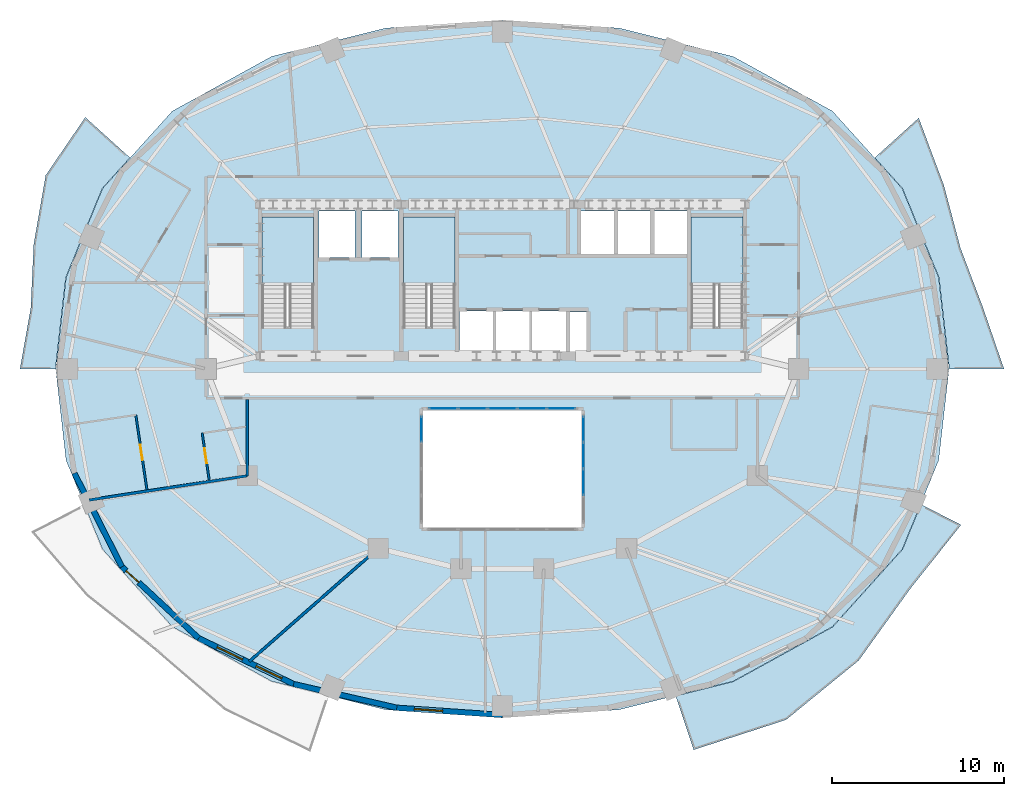
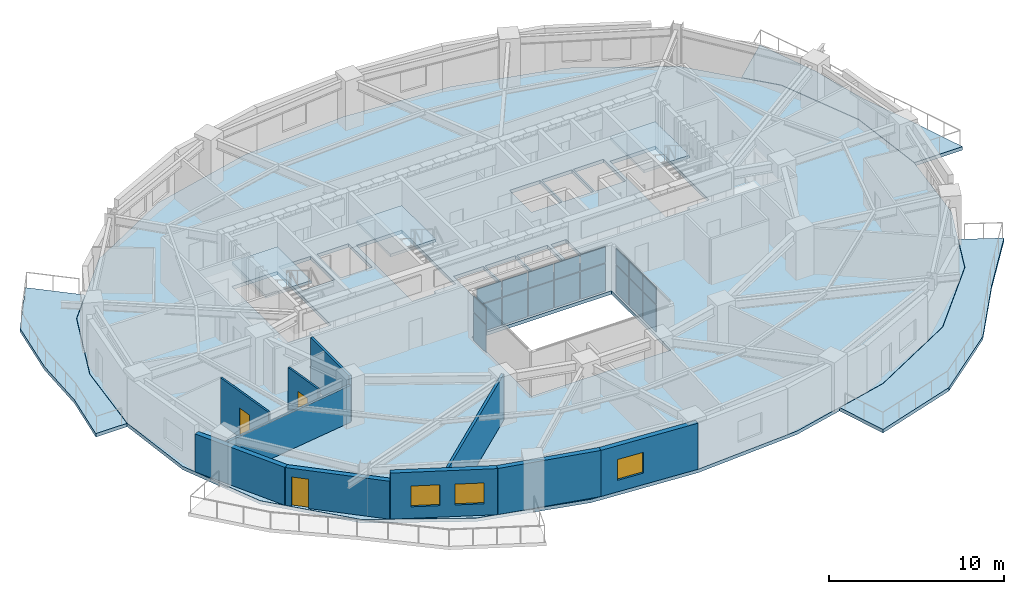
# One storey, part 5 of 12: 18 plates, 10 walls, 7 slabs, 3 doors, 3 windows, 6 openings, 6 elements without a shape of their own.
"""IFC4 building model written with IfcOpenShell, lengths in metres."""

from ifc_helpers import new_model, si_unit, direction, frame, frame_2d, origin, origin_2d, place, context, subcontext, project, spatial, polyline, rectangle, outline, extrude, material, layer, layer_set, type_object, element, fill, aggregate, save


model = new_model("IFC4")

# Units and contexts
model_context = context("Model", 3, precision=1e-05, world=origin(), true_north=direction((0.0, 1.0)))
body_context = subcontext(model_context, "Body", "Model", "MODEL_VIEW")
ifc_project = project(units=[si_unit("LENGTHUNIT", "METRE"), si_unit("AREAUNIT", "SQUARE_METRE"), si_unit("VOLUMEUNIT", "CUBIC_METRE"), si_unit("PLANEANGLEUNIT", "RADIAN"), si_unit("MASSUNIT", "GRAM", prefix="KILO")], contexts=[model_context])

# Site, building, storey
site_placement = place(None, origin())
site = spatial("IfcSite", under=ifc_project, at=site_placement, CompositionType="ELEMENT")
building_placement = place(site_placement, origin())
building = spatial("IfcBuilding", under=site, at=building_placement, Name="Haldorwick Loom Tower", CompositionType="ELEMENT")
storey_placement = place(building_placement, frame((0.0, 0.0, 157.89990234375)))
storey = spatial("IfcBuildingStorey", under=building, at=storey_placement, Name="L42", CompositionType="ELEMENT", Elevation=157.89990234375)

# Curtain wall, plates
ifc_material_1 = material(Name="Thermally Broken Anodized Aluminium Curtain Wall Framing", Category="aluminium")
curtain_wall_type = type_object("IfcCurtainWallType", Name="ARC-CW-03", PredefinedType="NOTDEFINED", material=ifc_material_1)
curtain_wall_1_placement = place(storey_placement, origin())
curtain_wall_1 = element("IfcCurtainWall", 1, at=curtain_wall_1_placement, inside=storey, type_object=curtain_wall_type, Name="L42 Atrium Glazed Screen N", PredefinedType="NOTDEFINED")
ifc_material_2 = material(Name="Triple-Glazed Low-E Argon Insulated Glazing Unit", Category="glass")
ifc_layer_1 = layer(ifc_material_2, 0.04296875, Name="Triple-Glazed Low-E Argon Insulated Glazing Unit", Category="glass")
ifc_layer_set_1 = layer_set([ifc_layer_1], Name="Triple-Glazed Low-E Argon Insulated Glazing Unit")
plate_type = type_object("IfcPlateType", Name="ARC-CWP-03", PredefinedType="CURTAIN_PANEL", material=ifc_layer_set_1)
plate_1_placement = place(storey_placement, frame((32.576416015625, 23.699951171875, 0.066162109375), z_axis=(0.0, 0.0, 1.0), x_axis=(1.0, 0.0, 0.0)))
plate_1 = element("IfcPlate", 2, at=plate_1_placement, type_object=plate_type, Name="CW-03 panel 1.1", PredefinedType="CURTAIN_PANEL", context=body_context, shape_type="SweptSolid", body=[
    extrude(rectangle(XDim=1.62109375, YDim=0.04296875, at=origin_2d()), origin(), (0.0, 0.0, 1.0), 1.90087890625),
])
plate_2_placement = place(storey_placement, frame((32.576416015625, 23.699951171875, 2.033203125), z_axis=(0.0, 0.0, 1.0), x_axis=(1.0, 0.0, 0.0)))
plate_2 = element("IfcPlate", 3, at=plate_2_placement, type_object=plate_type, Name="CW-03 panel 1.2", PredefinedType="CURTAIN_PANEL", context=body_context, shape_type="SweptSolid", body=[
    extrude(rectangle(XDim=1.62109375, YDim=0.04296875, at=origin_2d()), origin(), (0.0, 0.0, 1.0), 1.111083984375),
])
plate_3_placement = place(storey_placement, frame((34.280029296875, 23.699951171875, 0.066162109375), z_axis=(0.0, 0.0, 1.0), x_axis=(1.0, 0.0, 0.0)))
plate_3 = element("IfcPlate", 4, at=plate_3_placement, type_object=plate_type, Name="CW-03 panel 2.1", PredefinedType="CURTAIN_PANEL", context=body_context, shape_type="SweptSolid", body=[
    extrude(rectangle(XDim=1.654052734375, YDim=0.04296875, at=origin_2d()), origin(), (0.0, 0.0, 1.0), 1.90087890625),
])
plate_4_placement = place(storey_placement, frame((34.280029296875, 23.699951171875, 2.033203125), z_axis=(0.0, 0.0, 1.0), x_axis=(1.0, 0.0, 0.0)))
plate_4 = element("IfcPlate", 5, at=plate_4_placement, type_object=plate_type, Name="CW-03 panel 2.2", PredefinedType="CURTAIN_PANEL", context=body_context, shape_type="SweptSolid", body=[
    extrude(rectangle(XDim=1.654052734375, YDim=0.04296875, at=origin_2d()), origin(), (0.0, 0.0, 1.0), 1.111083984375),
])
plate_5_placement = place(storey_placement, frame((36.0, 23.699951171875, 0.066162109375), z_axis=(0.0, 0.0, 1.0), x_axis=(1.0, 0.0, 0.0)))
plate_5 = element("IfcPlate", 6, at=plate_5_placement, type_object=plate_type, Name="CW-03 panel 3.1", PredefinedType="CURTAIN_PANEL", context=body_context, shape_type="SweptSolid", body=[
    extrude(rectangle(XDim=1.654052734375, YDim=0.04296875, at=origin_2d()), origin(), (0.0, 0.0, 1.0), 1.90087890625),
])
plate_6_placement = place(storey_placement, frame((36.0, 23.699951171875, 2.033203125), z_axis=(0.0, 0.0, 1.0), x_axis=(1.0, 0.0, 0.0)))
plate_6 = element("IfcPlate", 7, at=plate_6_placement, type_object=plate_type, Name="CW-03 panel 3.2", PredefinedType="CURTAIN_PANEL", context=body_context, shape_type="SweptSolid", body=[
    extrude(rectangle(XDim=1.654052734375, YDim=0.04296875, at=origin_2d()), origin(), (0.0, 0.0, 1.0), 1.111083984375),
])
plate_7_placement = place(storey_placement, frame((37.719970703125, 23.699951171875, 0.066162109375), z_axis=(0.0, 0.0, 1.0), x_axis=(1.0, 0.0, 0.0)))
plate_7 = element("IfcPlate", 8, at=plate_7_placement, type_object=plate_type, Name="CW-03 panel 4.1", PredefinedType="CURTAIN_PANEL", context=body_context, shape_type="SweptSolid", body=[
    extrude(rectangle(XDim=1.654052734375, YDim=0.04296875, at=origin_2d()), origin(), (0.0, 0.0, 1.0), 1.90087890625),
])
plate_8_placement = place(storey_placement, frame((37.719970703125, 23.699951171875, 2.033203125), z_axis=(0.0, 0.0, 1.0), x_axis=(1.0, 0.0, 0.0)))
plate_8 = element("IfcPlate", 9, at=plate_8_placement, type_object=plate_type, Name="CW-03 panel 4.2", PredefinedType="CURTAIN_PANEL", context=body_context, shape_type="SweptSolid", body=[
    extrude(rectangle(XDim=1.654052734375, YDim=0.04296875, at=origin_2d()), origin(), (0.0, 0.0, 1.0), 1.111083984375),
])
plate_9_placement = place(storey_placement, frame((39.423583984375, 23.699951171875, 0.066162109375), z_axis=(0.0, 0.0, 1.0), x_axis=(1.0, 0.0, 0.0)))
plate_9 = element("IfcPlate", 10, at=plate_9_placement, type_object=plate_type, Name="CW-03 panel 5.1", PredefinedType="CURTAIN_PANEL", context=body_context, shape_type="SweptSolid", body=[
    extrude(rectangle(XDim=1.62109375, YDim=0.04296875, at=origin_2d()), origin(), (0.0, 0.0, 1.0), 1.90087890625),
])
plate_10_placement = place(storey_placement, frame((39.423583984375, 23.699951171875, 2.033203125), z_axis=(0.0, 0.0, 1.0), x_axis=(1.0, 0.0, 0.0)))
plate_10 = element("IfcPlate", 11, at=plate_10_placement, type_object=plate_type, Name="CW-03 panel 5.2", PredefinedType="CURTAIN_PANEL", context=body_context, shape_type="SweptSolid", body=[
    extrude(rectangle(XDim=1.62109375, YDim=0.04296875, at=origin_2d()), origin(), (0.0, 0.0, 1.0), 1.111083984375),
])
aggregate(curtain_wall_1, [plate_1, plate_2, plate_3, plate_4, plate_5, plate_6, plate_7, plate_8, plate_9, plate_10])

curtain_wall_2_placement = place(storey_placement, origin())
curtain_wall_2 = element("IfcCurtainWall", 12, at=curtain_wall_2_placement, inside=storey, type_object=curtain_wall_type, Name="L42 Atrium Glazed Screen W", PredefinedType="NOTDEFINED")
plate_11_placement = place(storey_placement, frame((31.300048828125, 22.508544921875, 0.066162109375), z_axis=(0.0, 0.0, 1.0), x_axis=(0.0, 1.0, 0.0)))
plate_11 = element("IfcPlate", 13, at=plate_11_placement, type_object=plate_type, Name="CW-03 panel 4.1", PredefinedType="CURTAIN_PANEL", context=body_context, shape_type="SweptSolid", body=[
    extrude(rectangle(XDim=1.450927734375, YDim=0.04296875, at=origin_2d()), origin(), (0.0, 0.0, 1.0), 1.90087890625),
])
plate_12_placement = place(storey_placement, frame((31.300048828125, 22.508544921875, 2.033203125), z_axis=(0.0, 0.0, 1.0), x_axis=(0.0, 1.0, 0.0)))
plate_12 = element("IfcPlate", 14, at=plate_12_placement, type_object=plate_type, Name="CW-03 panel 4.2", PredefinedType="CURTAIN_PANEL", context=body_context, shape_type="SweptSolid", body=[
    extrude(rectangle(XDim=1.450927734375, YDim=0.04296875, at=origin_2d()), origin(), (0.0, 0.0, 1.0), 1.111083984375),
])
aggregate(curtain_wall_2, [plate_11, plate_12])

curtain_wall_3_placement = place(storey_placement, origin())
curtain_wall_3 = element("IfcCurtainWall", 15, at=curtain_wall_3_placement, inside=storey, type_object=curtain_wall_type, Name="L42 Atrium Glazed Screen E", PredefinedType="NOTDEFINED")
plate_13_placement = place(storey_placement, frame((40.699951171875, 22.508544921875, 0.066162109375), z_axis=(0.0, 0.0, 1.0), x_axis=(0.0, -1.0, 0.0)))
plate_13 = element("IfcPlate", 16, at=plate_13_placement, type_object=plate_type, Name="CW-03 panel 1.1", PredefinedType="CURTAIN_PANEL", context=body_context, shape_type="SweptSolid", body=[
    extrude(rectangle(XDim=1.450927734375, YDim=0.04296875, at=origin_2d()), origin(), (0.0, 0.0, 1.0), 1.90087890625),
])
plate_14_placement = place(storey_placement, frame((40.699951171875, 22.508544921875, 2.033203125), z_axis=(0.0, 0.0, 1.0), x_axis=(0.0, -1.0, 0.0)))
plate_14 = element("IfcPlate", 17, at=plate_14_placement, type_object=plate_type, Name="CW-03 panel 1.2", PredefinedType="CURTAIN_PANEL", context=body_context, shape_type="SweptSolid", body=[
    extrude(rectangle(XDim=1.450927734375, YDim=0.04296875, at=origin_2d()), origin(), (0.0, 0.0, 1.0), 1.111083984375),
])
plate_15_placement = place(storey_placement, frame((40.699951171875, 20.97509765625, 0.066162109375), z_axis=(0.0, 0.0, 1.0), x_axis=(0.0, -1.0, 0.0)))
plate_15 = element("IfcPlate", 18, at=plate_15_placement, type_object=plate_type, Name="CW-03 panel 2.1", PredefinedType="CURTAIN_PANEL", context=body_context, shape_type="SweptSolid", body=[
    extrude(rectangle(XDim=1.48388671875, YDim=0.04296875, at=origin_2d()), origin(), (0.0, 0.0, 1.0), 1.90087890625),
])
plate_16_placement = place(storey_placement, frame((40.699951171875, 20.97509765625, 2.033203125), z_axis=(0.0, 0.0, 1.0), x_axis=(0.0, -1.0, 0.0)))
plate_16 = element("IfcPlate", 19, at=plate_16_placement, type_object=plate_type, Name="CW-03 panel 2.2", PredefinedType="CURTAIN_PANEL", context=body_context, shape_type="SweptSolid", body=[
    extrude(rectangle(XDim=1.48388671875, YDim=0.04296875, at=origin_2d()), origin(), (0.0, 0.0, 1.0), 1.111083984375),
])
plate_17_placement = place(storey_placement, frame((40.699951171875, 19.425048828125, 0.066162109375), z_axis=(0.0, 0.0, 1.0), x_axis=(0.0, -1.0, 0.0)))
plate_17 = element("IfcPlate", 20, at=plate_17_placement, type_object=plate_type, Name="CW-03 panel 3.1", PredefinedType="CURTAIN_PANEL", context=body_context, shape_type="SweptSolid", body=[
    extrude(rectangle(XDim=1.48388671875, YDim=0.04296875, at=origin_2d()), origin(), (0.0, 0.0, 1.0), 1.90087890625),
])
plate_18_placement = place(storey_placement, frame((40.699951171875, 19.425048828125, 2.033203125), z_axis=(0.0, 0.0, 1.0), x_axis=(0.0, -1.0, 0.0)))
plate_18 = element("IfcPlate", 21, at=plate_18_placement, type_object=plate_type, Name="CW-03 panel 3.2", PredefinedType="CURTAIN_PANEL", context=body_context, shape_type="SweptSolid", body=[
    extrude(rectangle(XDim=1.48388671875, YDim=0.04296875, at=origin_2d()), origin(), (0.0, 0.0, 1.0), 1.111083984375),
])
aggregate(curtain_wall_3, [plate_13, plate_14, plate_15, plate_16, plate_17, plate_18])

# Slabs
ifc_material_3 = material(Name="Concrete C40 (40 MPa)", Category="concrete")
ifc_layer_2 = layer(ifc_material_3, 0.239990234375, Name="Concrete C40 (40 MPa)", Category="concrete")
ifc_layer_set_2 = layer_set([ifc_layer_2], Name="Concrete C40 (40 MPa)")
slab_type_1 = type_object("IfcSlabType", Name="STR-SLB-BAL240", PredefinedType="FLOOR", material=ifc_layer_set_2)
slab_1_placement = place(storey_placement, frame((0.0, 0.0, -0.239990234375)))
element("IfcSlab", 22, at=slab_1_placement, inside=storey, type_object=slab_type_1, Name="L42 Sinusoidal Balcony Terrace BAL_SE", PredefinedType="FLOOR", context=body_context, shape_type="SweptSolid", body=[
    extrude(outline(polyline([(60.284423828125, 18.14208984375), (59.216064453125, 15.530517578125), (59.21533203125, 15.529296875), (59.21484375, 15.528076171875), (59.214111328125, 15.527099609375), (59.213134765625, 15.526123046875), (55.16162109375, 11.031005859375), (55.16064453125, 11.02978515625), (55.1591796875, 11.028564453125), (55.15771484375, 11.02783203125), (49.40283203125, 7.863037109375), (49.40185546875, 7.8623046875), (49.400634765625, 7.86181640625), (49.3994140625, 7.861572265625), (46.05908203125, 7.027587890625), (47.103515625, 3.901123046875), (52.455322265625, 5.6396484375), (56.677978515625, 9.08544921875), (59.65380859375, 13.228271484375), (62.6103515625, 16.9501953125), (60.284423828125, 18.14208984375)])), origin(), (0.0, 0.0, 1.0), 0.239990234375),
])
slab_2_placement = place(storey_placement, frame((0.0, 0.0, -0.239990234375)))
element("IfcSlab", 23, at=slab_2_placement, inside=storey, type_object=slab_type_1, Name="L42 Sinusoidal Balcony Terrace BAL_WNW", PredefinedType="FLOOR", context=body_context, shape_type="SweptSolid", body=[
    extrude(outline(polyline([(10.068115234375, 26.0), (10.068115234375, 26.001708984375), (10.669677734375, 31.30029296875), (10.669921875, 31.3017578125), (10.670166015625, 31.302978515625), (10.670654296875, 31.30419921875), (12.783935546875, 36.469482421875), (12.78466796875, 36.470703125), (12.78515625, 36.4716796875), (12.785888671875, 36.472900390625), (12.786865234375, 36.473876953125), (14.390380859375, 38.25341796875), (11.7998046875, 40.59716796875), (9.505615234375, 37.237060546875), (8.81103515625, 33.25048828125), (8.63427734375, 29.5166015625), (8.011474609375, 26.0), (10.068115234375, 26.0)])), origin(), (0.0, 0.0, 1.0), 0.239990234375),
])
slab_3_placement = place(storey_placement, frame((0.0, 0.0, -0.239990234375)))
element("IfcSlab", 24, at=slab_3_placement, inside=storey, type_object=slab_type_1, Name="L42 Sinusoidal Balcony Terrace BAL_ENE", PredefinedType="FLOOR", context=body_context, shape_type="SweptSolid", body=[
    extrude(outline(polyline([(57.609619140625, 38.25341796875), (59.213134765625, 36.473876953125), (59.214111328125, 36.472900390625), (59.21484375, 36.4716796875), (59.21533203125, 36.470703125), (59.216064453125, 36.469482421875), (61.329345703125, 31.30419921875), (61.329833984375, 31.302978515625), (61.330078125, 31.3017578125), (61.330322265625, 31.30029296875), (61.931884765625, 26.001708984375), (61.931884765625, 26.0), (65.10546875, 26.0), (63.86279296875, 29.617431640625), (62.582763671875, 32.998291015625), (61.61376953125, 36.66259765625), (60.1552734375, 40.55517578125), (57.609619140625, 38.25341796875)])), origin(), (0.0, 0.0, 1.0), 0.239990234375),
])

# Stair, slab
stair_type = type_object("IfcStairType", Name="STR-STR-CORE", PredefinedType="HALF_TURN_STAIR", material=ifc_material_3)
stair_1_placement = place(storey_placement, origin())
stair_1 = element("IfcStair", 25, at=stair_1_placement, inside=storey, type_object=stair_type, Name="L42 Exit Stair ST-01", PredefinedType="HALF_TURN_STAIR")
ifc_layer_3 = layer(ifc_material_3, 0.199951171875, Name="Concrete C40 (40 MPa)", Category="concrete")
ifc_layer_set_3 = layer_set([ifc_layer_3], Name="Concrete C40 (40 MPa)")
slab_type_2 = type_object("IfcSlabType", Name="STR-SLB-LAND200", PredefinedType="LANDING", material=ifc_layer_set_3)
slab_4_placement = place(storey_placement, frame((0.0, 0.0, 1.525146484375)))
slab_4 = element("IfcSlab", 26, at=slab_4_placement, type_object=slab_type_2, Name="ST-01 landing 1", PredefinedType="LANDING", context=body_context, shape_type="SweptSolid", body=[
    extrude(outline(polyline([(25.050048828125, 30.919921875), (25.050048828125, 34.800048828125), (22.050048828125, 34.800048828125), (22.050048828125, 30.919921875), (25.050048828125, 30.919921875)])), origin(), (0.0, 0.0, 1.0), 0.199951171875),
])
aggregate(stair_1, [slab_4])

stair_2_placement = place(storey_placement, origin())
stair_2 = element("IfcStair", 27, at=stair_2_placement, inside=storey, type_object=stair_type, Name="L42 Exit Stair ST-02", PredefinedType="HALF_TURN_STAIR")
slab_5_placement = place(storey_placement, frame((0.0, 0.0, 1.525146484375)))
slab_5 = element("IfcSlab", 28, at=slab_5_placement, type_object=slab_type_2, Name="ST-02 landing 1", PredefinedType="LANDING", context=body_context, shape_type="SweptSolid", body=[
    extrude(outline(polyline([(49.949951171875, 30.919921875), (49.949951171875, 34.800048828125), (46.949951171875, 34.800048828125), (46.949951171875, 30.919921875), (49.949951171875, 30.919921875)])), origin(), (0.0, 0.0, 1.0), 0.199951171875),
])
aggregate(stair_2, [slab_5])

stair_3_placement = place(storey_placement, origin())
stair_3 = element("IfcStair", 29, at=stair_3_placement, inside=storey, type_object=stair_type, Name="L42 Exit Stair ST-03", PredefinedType="HALF_TURN_STAIR")
slab_6_placement = place(storey_placement, frame((0.0, 0.0, 1.525146484375)))
slab_6 = element("IfcSlab", 30, at=slab_6_placement, type_object=slab_type_2, Name="ST-03 landing 1", PredefinedType="LANDING", context=body_context, shape_type="SweptSolid", body=[
    extrude(outline(polyline([(33.25, 30.919921875), (33.25, 34.800048828125), (30.25, 34.800048828125), (30.25, 30.919921875), (33.25, 30.919921875)])), origin(), (0.0, 0.0, 1.0), 0.199951171875),
])
aggregate(stair_3, [slab_6])

# Slab
ifc_layer_4 = layer(ifc_material_3, 0.239990234375, Name="Concrete C40 (40 MPa)", Category="concrete")
ifc_layer_set_4 = layer_set([ifc_layer_4], Name="Concrete C40 (40 MPa)")
slab_type_3 = type_object("IfcSlabType", Name="STR-SLB-RES240", PredefinedType="FLOOR", material=ifc_layer_set_4)
slab_7_placement = place(storey_placement, frame((0.0, 0.0, -0.239990234375)))
element("IfcSlab", 31, at=slab_7_placement, inside=storey, type_object=slab_type_3, Name="L42 Residential Structural Floor Slab", PredefinedType="FLOOR", context=body_context, shape_type="SweptSolid", body=[
    extrude(outline(polyline([(55.150634765625, 11.041015625), (59.2021484375, 15.5361328125), (61.3154296875, 20.701416015625), (61.9169921875, 26.0), (61.3154296875, 31.298583984375), (59.2021484375, 36.4638671875), (55.150634765625, 40.958984375), (49.395751953125, 44.123779296875), (42.783203125, 45.774658203125), (36.0, 46.24462890625), (29.216796875, 45.774658203125), (22.604248046875, 44.123779296875), (16.849365234375, 40.958984375), (12.7978515625, 36.4638671875), (10.6845703125, 31.298583984375), (10.0830078125, 26.0), (10.6845703125, 20.701416015625), (12.7978515625, 15.5361328125), (16.849365234375, 11.041015625), (22.604248046875, 7.876220703125), (29.216796875, 6.225341796875), (36.0, 5.75537109375), (42.783203125, 6.225341796875), (49.395751953125, 7.876220703125), (55.150634765625, 11.041015625)]), holes=[polyline([(31.39990234375, 16.800048828125), (31.39990234375, 23.60009765625), (40.60009765625, 23.60009765625), (40.60009765625, 16.800048828125), (31.39990234375, 16.800048828125)]), polyline([(33.5, 26.85009765625), (33.5, 29.35009765625), (35.5, 29.35009765625), (35.5, 26.85009765625), (33.5, 26.85009765625)]), polyline([(35.60009765625, 26.85009765625), (35.60009765625, 29.35009765625), (37.60009765625, 29.35009765625), (37.60009765625, 26.85009765625), (35.60009765625, 26.85009765625)]), polyline([(23.6201171875, 28.39990234375), (22.050048828125, 28.39990234375), (22.050048828125, 34.800048828125), (25.050048828125, 34.800048828125), (25.050048828125, 28.639892578125), (23.6201171875, 28.639892578125), (23.6201171875, 28.39990234375)]), polyline([(30.25, 28.39990234375), (30.25, 34.800048828125), (33.25, 34.800048828125), (33.25, 28.639892578125), (31.820068359375, 28.639892578125), (31.820068359375, 28.39990234375), (30.25, 28.39990234375)]), polyline([(25.35009765625, 32.449951171875), (25.35009765625, 35.14990234375), (27.449951171875, 35.14990234375), (27.449951171875, 32.449951171875), (25.35009765625, 32.449951171875)]), polyline([(29.949951171875, 32.449951171875), (27.85009765625, 32.449951171875), (27.85009765625, 35.14990234375), (29.949951171875, 35.14990234375), (29.949951171875, 32.449951171875)]), polyline([(37.699951171875, 26.85009765625), (37.699951171875, 29.35009765625), (39.699951171875, 29.35009765625), (39.699951171875, 26.85009765625), (37.699951171875, 26.85009765625)]), polyline([(39.89990234375, 26.89990234375), (39.89990234375, 29.300048828125), (40.89990234375, 29.300048828125), (40.89990234375, 26.89990234375), (39.89990234375, 26.89990234375)]), polyline([(46.949951171875, 28.39990234375), (46.949951171875, 34.800048828125), (49.949951171875, 34.800048828125), (49.949951171875, 28.639892578125), (48.52001953125, 28.639892578125), (48.52001953125, 28.39990234375), (46.949951171875, 28.39990234375)]), polyline([(40.550048828125, 32.64990234375), (40.550048828125, 35.14990234375), (42.550048828125, 35.14990234375), (42.550048828125, 32.64990234375), (40.550048828125, 32.64990234375)]), polyline([(42.64990234375, 32.64990234375), (42.64990234375, 35.14990234375), (44.64990234375, 35.14990234375), (44.64990234375, 32.64990234375), (42.64990234375, 32.64990234375)]), polyline([(44.75, 32.64990234375), (44.75, 35.14990234375), (46.75, 35.14990234375), (46.75, 32.64990234375), (44.75, 32.64990234375)])]), origin(), (0.0, 0.0, 1.0), 0.239990234375),
])

# Wall
ifc_material_4 = material(Name="Pressed Clay Face Brick and Insulated Masonry Backup Assembly", Category="masonry")
ifc_layer_5 = layer(ifc_material_4, 0.320068359375, Name="Pressed Clay Face Brick and Insulated Masonry Backup Assembly", Category="masonry")
ifc_layer_set_5 = layer_set([ifc_layer_5], Name="Pressed Clay Face Brick and Insulated Masonry Backup Assembly")
wall_type_1 = type_object("IfcWallType", Name="ARC-WL-EXT320", PredefinedType="STANDARD", material=ifc_layer_set_5)
wall_1_placement = place(storey_placement, frame((11.1650390625, 19.944580078125, 0.0), z_axis=(0.0, 0.0, 1.0), x_axis=(0.453172129629, -0.89142303141, 0.0)))
element("IfcWall", 32, at=wall_1_placement, inside=storey, type_object=wall_type_1, Name="L42 Brick Pier and Spandrel Wall 14", PredefinedType="STANDARD", context=body_context, shape_type="SweptSolid", body=[
    extrude(rectangle(XDim=6.086669921875, YDim=0.320068359375, at=frame_2d((3.04345703125, 0.0))), origin(), (0.0, 0.0, 1.0), 2.64111328125),
])

# Wall, opening, door
wall_2_placement = place(storey_placement, frame((13.92333984375, 14.518798828125, 0.0), z_axis=(0.0, 0.0, 1.0), x_axis=(0.732001571644, -0.681302942244, 0.0)))
wall_2 = element("IfcWall", 33, at=wall_2_placement, inside=storey, type_object=wall_type_1, Name="L42 Brick Pier and Spandrel Wall 15", PredefinedType="STANDARD", context=body_context, shape_type="SweptSolid", body=[
    extrude(rectangle(XDim=6.0869140625, YDim=0.320068359375, at=frame_2d((3.04345703125, 0.0))), origin(), (0.0, 0.0, 1.0), 2.64111328125),
])
opening_1_placement = place(wall_2_placement, frame((0.340087890625, 0.0, 0.0)))
opening_1 = element("IfcOpeningElement", 34, at=opening_1_placement, cuts=wall_2, Name="Opening D-BL10", PredefinedType="OPENING", context=body_context, shape_type="SweptSolid", body=[
    extrude(rectangle(XDim=1.0, YDim=2.0400390625, at=frame_2d((0.5, 1.02001953125))), frame((0.0, 0.169921875, 0.0), z_axis=(0.0, -1.0, 0.0), x_axis=(1.0, 0.0, 0.0)), (0.0, 0.0, 1.0), 0.340087890625),
])
door_type_1 = type_object("IfcDoorType", Name="ARC-DR-BAL100", OperationType="NOTDEFINED", PredefinedType="DOOR", material=ifc_material_1)
door_1_placement = place(opening_1_placement, origin())
door_1 = element("IfcDoor", 35, at=door_1_placement, inside=storey, type_object=door_type_1, Name="L42 Outdoor Terrace Door SLB-L42-BAL_SW", OperationType="SINGLE_SWING_LEFT", OverallHeight=2.0400390625, OverallWidth=1.0, PredefinedType="DOOR", context=body_context, shape_type="SweptSolid", body=[
    extrude(rectangle(XDim=1.0, YDim=2.0400390625, at=frame_2d((0.5, 1.02001953125))), frame((0.0, 0.02490234375, 0.0), z_axis=(0.0, -1.0, 0.0), x_axis=(1.0, 0.0, 0.0)), (0.0, 0.0, 1.0), 0.050048828125),
])
fill(opening_1, door_1)

# Wall, openings, windows
wall_3_placement = place(storey_placement, frame((18.37890625, 10.371826171875, 0.0), z_axis=(0.0, 0.0, 1.0), x_axis=(0.900472429216, -0.43491309962, 0.0)))
wall_3 = element("IfcWall", 36, at=wall_3_placement, inside=storey, type_object=wall_type_1, Name="L42 Brick Pier and Spandrel Wall 16", PredefinedType="STANDARD", context=body_context, shape_type="SweptSolid", body=[
    extrude(rectangle(XDim=6.1181640625, YDim=0.320068359375, at=frame_2d((3.05908203125, 0.0))), origin(), (0.0, 0.0, 1.0), 3.210205078125),
])
opening_2_placement = place(wall_3_placement, frame((1.181884765625, 0.0, 0.800048828125)))
opening_2 = element("IfcOpeningElement", 37, at=opening_2_placement, cuts=wall_3, Name="Opening W-01B", PredefinedType="OPENING", context=body_context, shape_type="SweptSolid", body=[
    extrude(rectangle(XDim=1.64990234375, YDim=1.449951171875, at=frame_2d((0.824951171875, 0.72509765625))), frame((0.0, 0.169921875, 0.0), z_axis=(0.0, -1.0, 0.0), x_axis=(1.0, 0.0, 0.0)), (0.0, 0.0, 1.0), 0.340087890625),
])
opening_3_placement = place(wall_3_placement, frame((3.70751953125, 0.0, 0.800048828125)))
opening_3 = element("IfcOpeningElement", 38, at=opening_3_placement, cuts=wall_3, Name="Opening W-01B", PredefinedType="OPENING", context=body_context, shape_type="SweptSolid", body=[
    extrude(rectangle(XDim=1.64990234375, YDim=1.449951171875, at=frame_2d((0.824951171875, 0.72509765625))), frame((0.0, 0.169921875, 0.0), z_axis=(0.0, -1.0, 0.0), x_axis=(1.0, 0.0, 0.0)), (0.0, 0.0, 1.0), 0.340087890625),
])
window_type = type_object("IfcWindowType", Name="ARC-WIN-W165", PartitioningType="SINGLE_PANEL", PredefinedType="WINDOW", material=ifc_material_2)
window_1_placement = place(opening_2_placement, origin())
window_1 = element("IfcWindow", 39, at=window_1_placement, inside=storey, type_object=window_type, Name="L42 Deep-Set Zone 7A Window 16", OverallHeight=1.449951171875, OverallWidth=1.64990234375, PartitioningType="SINGLE_PANEL", PredefinedType="WINDOW", context=body_context, shape_type="SweptSolid", body=[
    extrude(rectangle(XDim=1.64990234375, YDim=1.449951171875, at=frame_2d((0.824951171875, 0.72509765625))), frame((0.0, 0.030029296875, 0.0), z_axis=(0.0, -1.0, 0.0), x_axis=(1.0, 0.0, 0.0)), (0.0, 0.0, 1.0), 0.06005859375),
])
fill(opening_2, window_1)
window_2_placement = place(opening_3_placement, origin())
window_2 = element("IfcWindow", 40, at=window_2_placement, inside=storey, type_object=window_type, Name="L42 Deep-Set Zone 7A Window 16", OverallHeight=1.449951171875, OverallWidth=1.64990234375, PartitioningType="SINGLE_PANEL", PredefinedType="WINDOW", context=body_context, shape_type="SweptSolid", body=[
    extrude(rectangle(XDim=1.64990234375, YDim=1.449951171875, at=frame_2d((0.824951171875, 0.72509765625))), frame((0.0, 0.030029296875, 0.0), z_axis=(0.0, -1.0, 0.0), x_axis=(1.0, 0.0, 0.0)), (0.0, 0.0, 1.0), 0.06005859375),
])
fill(opening_3, window_2)

# Wall
wall_4_placement = place(storey_placement, frame((23.88818359375, 7.7109375, 0.0), z_axis=(0.0, 0.0, 1.0), x_axis=(0.974593223547, -0.223982250674, 0.0)))
element("IfcWall", 41, at=wall_4_placement, inside=storey, type_object=wall_type_1, Name="L42 Brick Pier and Spandrel Wall 17", PredefinedType="STANDARD", context=body_context, shape_type="SweptSolid", body=[
    extrude(rectangle(XDim=6.138916015625, YDim=0.320068359375, at=frame_2d((3.0693359375, 0.0))), origin(), (0.0, 0.0, 1.0), 3.210205078125),
])

# Wall, opening, window
wall_5_placement = place(storey_placement, frame((29.87109375, 6.3359375, 0.0), z_axis=(0.0, 0.0, 1.0), x_axis=(0.997652942988, -0.068473391522, 0.0)))
wall_5 = element("IfcWall", 42, at=wall_5_placement, inside=storey, type_object=wall_type_1, Name="L42 Brick Pier and Spandrel Wall 18", PredefinedType="STANDARD", context=body_context, shape_type="SweptSolid", body=[
    extrude(rectangle(XDim=6.143310546875, YDim=0.320068359375, at=frame_2d((3.07177734375, 0.0))), origin(), (0.0, 0.0, 1.0), 3.210205078125),
])
opening_4_placement = place(wall_5_placement, frame((1.01806640625, 0.0, 0.800048828125)))
opening_4 = element("IfcOpeningElement", 43, at=opening_4_placement, cuts=wall_5, Name="Opening W-01B", PredefinedType="OPENING", context=body_context, shape_type="SweptSolid", body=[
    extrude(rectangle(XDim=1.64990234375, YDim=1.449951171875, at=frame_2d((0.824951171875, 0.72509765625))), frame((0.0, 0.169921875, 0.0), z_axis=(0.0, -1.0, 0.0), x_axis=(1.0, 0.0, 0.0)), (0.0, 0.0, 1.0), 0.340087890625),
])
window_3_placement = place(opening_4_placement, origin())
window_3 = element("IfcWindow", 44, at=window_3_placement, inside=storey, type_object=window_type, Name="L42 Deep-Set Zone 7A Window 18", OverallHeight=1.449951171875, OverallWidth=1.64990234375, PartitioningType="SINGLE_PANEL", PredefinedType="WINDOW", context=body_context, shape_type="SweptSolid", body=[
    extrude(rectangle(XDim=1.64990234375, YDim=1.449951171875, at=frame_2d((0.824951171875, 0.72509765625))), frame((0.0, 0.030029296875, 0.0), z_axis=(0.0, -1.0, 0.0), x_axis=(1.0, 0.0, 0.0)), (0.0, 0.0, 1.0), 0.06005859375),
])
fill(opening_4, window_3)

# Walls
ifc_material_5 = material(Name="Fire-Rated Type X Gypsum Stud Assembly EI 60")
ifc_layer_6 = layer(ifc_material_5, 0.159912109375, Name="Fire-Rated Type X Gypsum Stud Assembly EI 60")
ifc_layer_set_6 = layer_set([ifc_layer_6], Name="Fire-Rated Type X Gypsum Stud Assembly EI 60")
wall_type_2 = type_object("IfcWallType", Name="ARC-WL-FIRE160", PredefinedType="PARTITIONING", material=ifc_layer_set_6)
wall_6_placement = place(storey_placement, frame((28.800048828125, 15.60009765625, 0.0), z_axis=(0.0, 0.0, 1.0), x_axis=(-0.751199514731, -0.660075214706, 0.0)))
element("IfcWall", 45, at=wall_6_placement, inside=storey, type_object=wall_type_2, Name="L42 Residential Fire Partition L42-ICR-09", PredefinedType="PARTITIONING", context=body_context, shape_type="SweptSolid", body=[
    extrude(rectangle(XDim=9.961181640625, YDim=0.159912109375, at=frame_2d((4.98046875, 0.0))), origin(), (0.0, 0.0, 1.0), 3.195068359375),
])
wall_7_placement = place(storey_placement, frame((21.199951171875, 19.800048828125, 0.0), z_axis=(0.0, 0.0, 1.0), x_axis=(-0.988415150096, -0.151774474339, 0.0)))
element("IfcWall", 46, at=wall_7_placement, inside=storey, type_object=wall_type_2, Name="L42 Residential Fire Partition L42-ICR-11", PredefinedType="PARTITIONING", context=body_context, shape_type="SweptSolid", body=[
    extrude(rectangle(XDim=9.27978515625, YDim=0.159912109375, at=frame_2d((4.639892578125, 0.0))), origin(), (0.0, 0.0, 1.0), 2.568115234375),
])
wall_8_placement = place(storey_placement, frame((21.199951171875, 24.217041015625, 0.0), z_axis=(0.0, 0.0, 1.0), x_axis=(0.0, -1.0, 0.0)))
element("IfcWall", 47, at=wall_8_placement, inside=storey, type_object=wall_type_2, Name="L42 Residential Fire Partition L42-ICA-10", PredefinedType="PARTITIONING", context=body_context, shape_type="SweptSolid", body=[
    extrude(rectangle(XDim=4.4169921875, YDim=0.159912109375, at=frame_2d((2.20849609375, 0.0))), origin(), (0.0, 0.0, 1.0), 3.195068359375),
])

# Wall, opening, door
ifc_material_6 = material(Name="Acoustic Gypsum Stud Assembly STC 55")
ifc_layer_7 = layer(ifc_material_6, 0.1201171875, Name="Acoustic Gypsum Stud Assembly STC 55")
ifc_layer_set_7 = layer_set([ifc_layer_7], Name="Acoustic Gypsum Stud Assembly STC 55")
wall_type_3 = type_object("IfcWallType", Name="ARC-WL-PART120", PredefinedType="PARTITIONING", material=ifc_layer_set_7)
wall_9_placement = place(storey_placement, frame((18.584228515625, 22.27099609375, 0.0), z_axis=(0.0, 0.0, 1.0), x_axis=(0.147469849416, -0.98906655161, 0.0)))
wall_9 = element("IfcWall", 48, at=wall_9_placement, inside=storey, type_object=wall_type_3, Name="L42 Unit 42A Interior Partition", PredefinedType="PARTITIONING", context=body_context, shape_type="SweptSolid", body=[
    extrude(rectangle(XDim=2.75634765625, YDim=0.1201171875, at=frame_2d((1.378173828125, 0.0))), origin(), (0.0, 0.0, 1.0), 3.195068359375),
])
opening_5_placement = place(wall_9_placement, frame((0.87841796875, 0.0, 0.0)))
opening_5 = element("IfcOpeningElement", 49, at=opening_5_placement, cuts=wall_9, Name="Opening D-BT88", PredefinedType="OPENING", context=body_context, shape_type="SweptSolid", body=[
    extrude(rectangle(XDim=0.8798828125, YDim=2.02001953125, at=frame_2d((0.43994140625, 1.010009765625))), frame((0.0, 0.070068359375, 0.0), z_axis=(0.0, -1.0, 0.0), x_axis=(1.0, 0.0, 0.0)), (0.0, 0.0, 1.0), 0.14013671875),
])
ifc_material_7 = material(Name="Solid Core Birch Architectural Door")
door_type_2 = type_object("IfcDoorType", Name="ARC-DR-BATH88", OperationType="NOTDEFINED", PredefinedType="DOOR", material=ifc_material_7)
door_2_placement = place(opening_5_placement, origin())
door_2 = element("IfcDoor", 50, at=door_2_placement, inside=storey, type_object=door_type_2, Name="L42 Unit 42A Bathroom to Unit 42A Kitchen and Living Room Door", OperationType="SINGLE_SWING_RIGHT", OverallHeight=2.02001953125, OverallWidth=0.8798828125, PredefinedType="DOOR", context=body_context, shape_type="SweptSolid", body=[
    extrude(rectangle(XDim=0.8798828125, YDim=2.02001953125, at=frame_2d((0.43994140625, 1.010009765625))), frame((0.0, 0.02490234375, 0.0), z_axis=(0.0, -1.0, 0.0), x_axis=(1.0, 0.0, 0.0)), (0.0, 0.0, 1.0), 0.050048828125),
])
fill(opening_5, door_2)

wall_10_placement = place(storey_placement, frame((14.731201171875, 23.3271484375, 0.0), z_axis=(0.0, 0.0, 1.0), x_axis=(0.147537276338, -0.989056495904, 0.0)))
wall_10 = element("IfcWall", 51, at=wall_10_placement, inside=storey, type_object=wall_type_3, Name="L42 Unit 42A Interior Partition", PredefinedType="PARTITIONING", context=body_context, shape_type="SweptSolid", body=[
    extrude(rectangle(XDim=4.38525390625, YDim=0.1201171875, at=frame_2d((2.192626953125, 0.0))), origin(), (0.0, 0.0, 1.0), 3.195068359375),
])
opening_6_placement = place(wall_10_placement, frame((1.74267578125, 0.0, 0.0)))
opening_6 = element("IfcOpeningElement", 52, at=opening_6_placement, cuts=wall_10, Name="Opening D-IN90", PredefinedType="OPENING", context=body_context, shape_type="SweptSolid", body=[
    extrude(rectangle(XDim=0.89990234375, YDim=2.0400390625, at=frame_2d((0.449951171875, 1.02001953125))), frame((0.0, 0.070068359375, 0.0), z_axis=(0.0, -1.0, 0.0), x_axis=(1.0, 0.0, 0.0)), (0.0, 0.0, 1.0), 0.14013671875),
])
door_type_3 = type_object("IfcDoorType", Name="ARC-DR-INT90", OperationType="NOTDEFINED", PredefinedType="DOOR", material=ifc_material_7)
door_3_placement = place(opening_6_placement, origin())
door_3 = element("IfcDoor", 53, at=door_3_placement, inside=storey, type_object=door_type_3, Name="L42 Unit 42A Kitchen and Living Room to Unit 42A Bedroom 1 Door", OperationType="SINGLE_SWING_LEFT", OverallHeight=2.0400390625, OverallWidth=0.89990234375, PredefinedType="DOOR", context=body_context, shape_type="SweptSolid", body=[
    extrude(rectangle(XDim=0.89990234375, YDim=2.0400390625, at=frame_2d((0.449951171875, 1.02001953125))), frame((0.0, 0.02490234375, 0.0), z_axis=(0.0, -1.0, 0.0), x_axis=(1.0, 0.0, 0.0)), (0.0, 0.0, 1.0), 0.050048828125),
])
fill(opening_6, door_3)

save(model, "model.ifc")
